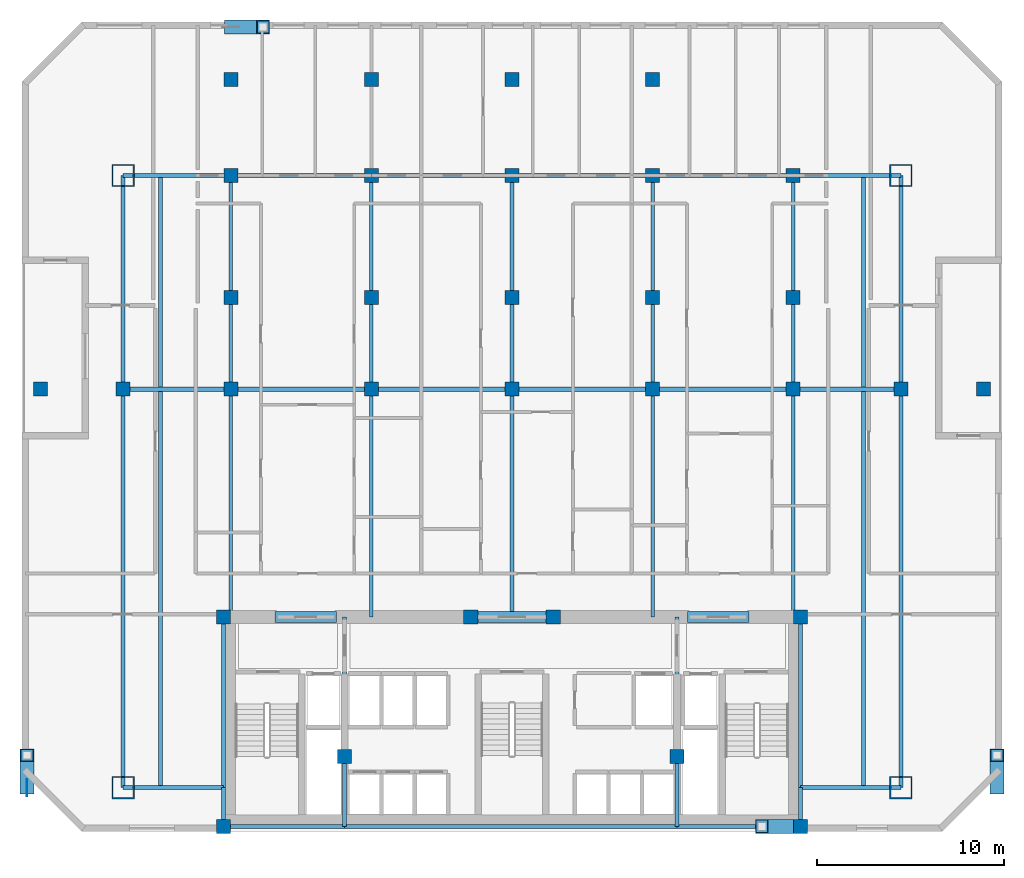
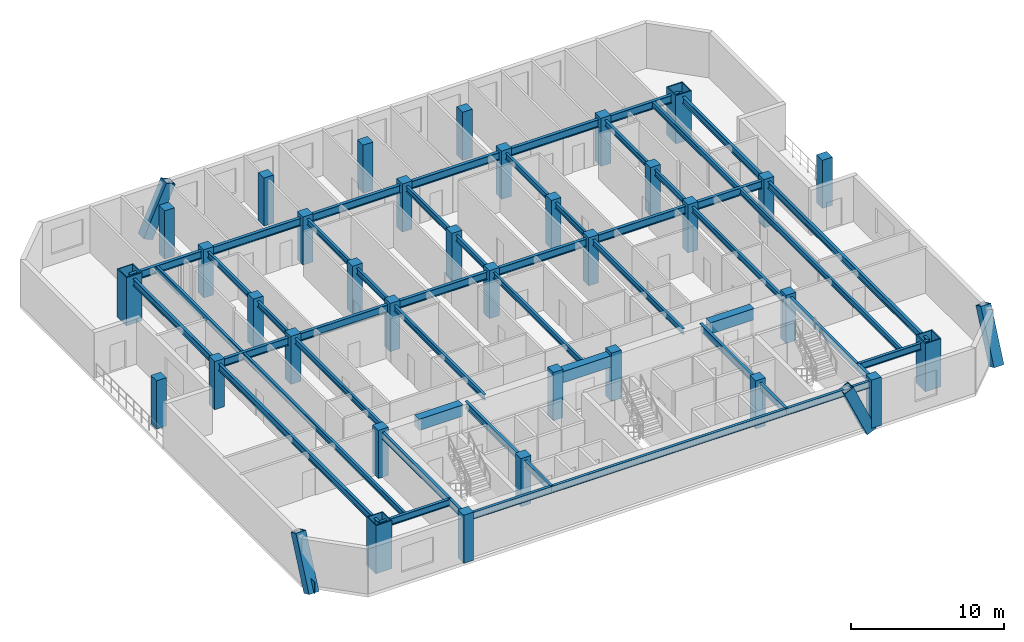
# One storey, part 1 of 10: 46 beams, 35 columns, 4 members, 1 plate.
"""IFC4 building model written with IfcOpenShell, lengths in metres."""

from ifc_helpers import new_model, si_unit, direction, frame, origin, origin_2d, place, context, subcontext, project, spatial, rectangle, hollow_rectangle, i_section, extrude, material, layer, layer_set, material_profile, profile_set, type_object, element, save


model = new_model("IFC4")

# Units and contexts
model_context = context("Model", 3, precision=1e-05, world=origin(), true_north=direction((0.0, 1.0)))
body_context = subcontext(model_context, "Body", "Model", "MODEL_VIEW")
ifc_project = project(units=[si_unit("LENGTHUNIT", "METRE"), si_unit("AREAUNIT", "SQUARE_METRE"), si_unit("VOLUMEUNIT", "CUBIC_METRE"), si_unit("PLANEANGLEUNIT", "RADIAN"), si_unit("MASSUNIT", "GRAM", prefix="KILO")], contexts=[model_context])

# Site, building, storey
site_placement = place(None, origin())
site = spatial("IfcSite", under=ifc_project, at=site_placement, CompositionType="ELEMENT")
building_placement = place(site_placement, origin())
building = spatial("IfcBuilding", under=site, at=building_placement, Name="Ventersveld Concourse Tower", CompositionType="ELEMENT")
storey_placement = place(building_placement, frame((0.0, 0.0, 123.39990234375)))
storey = spatial("IfcBuildingStorey", under=building, at=storey_placement, Name="L30", CompositionType="ELEMENT", Elevation=123.39990234375)

# Columns
ifc_material_1 = material(Name="Concrete C50/60", Category="concrete")
ifc_material_profile_1 = material_profile(ifc_material_1, rectangle(XDim=0.75, YDim=0.75, at=origin_2d()), Name="RC 750x750")
ifc_profile_set_1 = profile_set([ifc_material_profile_1], Name="Concrete C50/60")
column_type_1 = type_object("IfcColumnType", Name="COL-RC750", PredefinedType="COLUMN", material=ifc_profile_set_1)
for number, where, z_axis, x_axis, name in (
    (1, (13.35009765625, 0.280029296875, 0.0), (0.0, 0.0, 1.0), (1.0, 0.0, 0.0), "L30 Core Spine Column CC-SW"),
    (2, (44.14990234375, 0.280029296875, 0.0), (0.0, 0.0, 1.0), (1.0, 0.0, 0.0), "L30 Core Spine Column CC-SE"),
    (3, (13.35009765625, 11.449951171875, 0.0), (0.0, 0.0, 1.0), (1.0, 0.0, 0.0), "L30 Core Spine Column CC-NW"),
    (4, (44.14990234375, 11.449951171875, 0.0), (0.0, 0.0, 1.0), (1.0, 0.0, 0.0), "L30 Core Spine Column CC-NE"),
    (5, (19.820068359375, 4.0, 0.0), (0.0, 0.0, 1.0), (1.0, 0.0, 0.0), "L30 Core Spine Column CM-1"),
    (6, (37.550048828125, 4.0, 0.0), (0.0, 0.0, 1.0), (1.0, 0.0, 0.0), "L30 Core Spine Column CM-2"),
    (7, (26.550048828125, 11.449951171875, 0.0), (0.0, 0.0, 1.0), (1.0, 0.0, 0.0), "L30 Core Spine Column CM-3"),
    (8, (30.949951171875, 11.449951171875, 0.0), (0.0, 0.0, 1.0), (1.0, 0.0, 0.0), "L30 Core Spine Column CM-4"),
    (9, (3.60009765625, 23.60009765625, 0.0), (0.0, 0.0, 1.0), (1.0, 0.0, 0.0), "L30 Interior Gravity Column X=3.60 Y=23.60"),
    (10, (8.0, 23.60009765625, 0.0), (0.0, 0.0, 1.0), (1.0, 0.0, 0.0), "L30 Interior Gravity Column X=8.00 Y=23.60"),
    (11, (13.75, 23.60009765625, 0.0), (0.0, 0.0, 1.0), (1.0, 0.0, 0.0), "L30 Interior Gravity Column X=13.75 Y=23.60"),
    (12, (21.25, 23.60009765625, 0.0), (0.0, 0.0, 1.0), (1.0, 0.0, 0.0), "L30 Interior Gravity Column X=21.25 Y=23.60"),
    (13, (28.75, 23.60009765625, 0.0), (0.0, 0.0, 1.0), (1.0, 0.0, 0.0), "L30 Interior Gravity Column X=28.75 Y=23.60"),
    (14, (36.25, 23.60009765625, 0.0), (0.0, 0.0, 1.0), (1.0, 0.0, 0.0), "L30 Interior Gravity Column X=36.25 Y=23.60"),
    (15, (43.75, 23.60009765625, 0.0), (0.0, 0.0, 1.0), (1.0, 0.0, 0.0), "L30 Interior Gravity Column X=43.75 Y=23.60"),
    (16, (49.5, 23.60009765625, 0.0), (0.0, 0.0, 1.0), (1.0, 0.0, 0.0), "L30 Interior Gravity Column X=49.50 Y=23.60"),
    (17, (53.89990234375, 23.60009765625, 0.0), (0.0, 0.0, 1.0), (1.0, 0.0, 0.0), "L30 Interior Gravity Column X=53.90 Y=23.60"),
    (18, (13.75, 28.5, 0.0), (0.0, 0.0, 1.0), (1.0, 0.0, 0.0), "L30 Upper-North Gravity Column X=13.75 Y=28.50"),
    (19, (21.25, 28.5, 0.0), (0.0, 0.0, 1.0), (1.0, 0.0, 0.0), "L30 Upper-North Gravity Column X=21.25 Y=28.50"),
    (20, (28.75, 28.5, 0.0), (0.0, 0.0, 1.0), (1.0, 0.0, 0.0), "L30 Upper-North Gravity Column X=28.75 Y=28.50"),
    (21, (36.25, 28.5, 0.0), (0.0, 0.0, 1.0), (1.0, 0.0, 0.0), "L30 Upper-North Gravity Column X=36.25 Y=28.50"),
    (22, (43.75, 28.5, 0.0), (0.0, 0.0, 1.0), (1.0, 0.0, 0.0), "L30 Upper-North Gravity Column X=43.75 Y=28.50"),
    (23, (13.75, 40.1201171875, 0.0), (0.0, 0.0, 1.0), (1.0, 0.0, 0.0), "L30 North Brace Node Column X=13.75 Y=40.12"),
    (24, (21.25, 40.1201171875, 0.0), (0.0, 0.0, 1.0), (1.0, 0.0, 0.0), "L30 North Brace Node Column X=21.25 Y=40.12"),
    (25, (28.75, 40.1201171875, 0.0), (0.0, 0.0, 1.0), (1.0, 0.0, 0.0), "L30 North Brace Node Column X=28.75 Y=40.12"),
    (26, (36.25, 40.1201171875, 0.0), (0.0, 0.0, 1.0), (1.0, 0.0, 0.0), "L30 North Brace Node Column X=36.25 Y=40.12"),
    (27, (13.75, 35.0, 0.0), (0.0, 0.0, 1.0), (1.0, 0.0, 0.0), "L30 Mid-North Column X=13.75 Y=35.00"),
    (28, (21.25, 35.0, 0.0), (0.0, 0.0, 1.0), (1.0, 0.0, 0.0), "L30 Mid-North Column X=21.25 Y=35.00"),
    (29, (28.75, 35.0, 0.0), (0.0, 0.0, 1.0), (1.0, 0.0, 0.0), "L30 Mid-North Column X=28.75 Y=35.00"),
    (30, (36.25, 35.0, 0.0), (0.0, 0.0, 1.0), (1.0, 0.0, 0.0), "L30 Mid-North Column X=36.25 Y=35.00"),
    (31, (43.75, 35.0, 0.0), (0.0, 0.0, 1.0), (1.0, 0.0, 0.0), "L30 Mid-North Column X=43.75 Y=35.00"),
):
    element("IfcColumn", number, at=place(storey_placement, frame(where, z_axis=z_axis, x_axis=x_axis)), inside=storey, type_object=column_type_1, Name=name, PredefinedType="COLUMN", context=body_context, shape_type="SweptSolid", body=[
        extrude(rectangle(XDim=0.75, YDim=0.75, at=origin_2d()), origin(), (0.0, 0.0, 1.0), 3.85009765625),
    ])
ifc_material_2 = material(Name="Structural steel S460ML", Category="steel")
ifc_material_profile_2 = material_profile(ifc_material_2, hollow_rectangle(XDim=1.199951171875, YDim=1.199951171875, WallThickness=0.070068359375, at=origin_2d()), Name="BOX 1200x1200x70")
ifc_profile_set_2 = profile_set([ifc_material_profile_2], Name="Structural steel S460ML")
column_type_2 = type_object("IfcColumnType", Name="MC-1200", PredefinedType="USERDEFINED", material=ifc_profile_set_2)
for number, where, z_axis, x_axis, name in (
    (32, (8.0, 2.35009765625, 0.0), (0.0, 0.0, 1.0), (1.0, 0.0, 0.0), "L30 Corner Mega-Column MC-SW"),
    (33, (49.5, 2.35009765625, 0.0), (0.0, 0.0, 1.0), (1.0, 0.0, 0.0), "L30 Corner Mega-Column MC-SE"),
    (34, (49.5, 35.0, 0.0), (0.0, 0.0, 1.0), (1.0, 0.0, 0.0), "L30 Corner Mega-Column MC-NE"),
    (35, (8.0, 35.0, 0.0), (0.0, 0.0, 1.0), (1.0, 0.0, 0.0), "L30 Corner Mega-Column MC-NW"),
):
    element("IfcColumn", number, at=place(storey_placement, frame(where, z_axis=z_axis, x_axis=x_axis)), inside=storey, type_object=column_type_2, Name=name, ObjectType="MEGA_COLUMN", PredefinedType="USERDEFINED", context=body_context, shape_type="SweptSolid", body=[
        extrude(hollow_rectangle(XDim=1.199951171875, YDim=1.199951171875, WallThickness=0.070068359375, at=origin_2d()), origin(), (0.0, 0.0, 1.0), 3.85009765625),
    ])

# Beams
ifc_material_3 = material(Name="Structural steel S355J2", Category="steel")
ifc_material_profile_3 = material_profile(ifc_material_3, i_section(OverallWidth=0.18994140625, OverallDepth=0.453369140625, WebThickness=0.008544921875, FlangeThickness=0.0126953125, FilletRadius=0.01025390625, at=origin_2d()), Name="UB 457x191x67")
ifc_profile_set_3 = profile_set([ifc_material_profile_3], Name="Structural steel S355J2")
beam_type_1 = type_object("IfcBeamType", Name="BM-UB457", PredefinedType="BEAM", material=ifc_profile_set_3)
beam_1_placement = place(storey_placement, frame((10.0, 2.35009765625, 3.373291015625), z_axis=(0.0, 1.0, 0.0), x_axis=(-1.0, 0.0, 0.0)))
element("IfcBeam", 36, at=beam_1_placement, inside=storey, type_object=beam_type_1, Name="L30 N-S Composite Floor Beam South X=10.00", PredefinedType="BEAM", context=body_context, shape_type="SweptSolid", body=[
    extrude(i_section(OverallWidth=0.18994140625, OverallDepth=0.453369140625, WebThickness=0.008544921875, FlangeThickness=0.0126953125, FilletRadius=0.01025390625, at=origin_2d()), origin(), (0.0, 0.0, 1.0), 21.15478515625),
])
beam_2_placement = place(storey_placement, frame((10.0, 23.695068359375, 3.373291015625), z_axis=(0.0, 1.0, 0.0), x_axis=(-1.0, 0.0, 0.0)))
element("IfcBeam", 37, at=beam_2_placement, inside=storey, type_object=beam_type_1, Name="L30 N-S Composite Floor Beam Mid X=10.00", PredefinedType="BEAM", context=body_context, shape_type="SweptSolid", body=[
    extrude(i_section(OverallWidth=0.18994140625, OverallDepth=0.453369140625, WebThickness=0.008544921875, FlangeThickness=0.0126953125, FilletRadius=0.01025390625, at=origin_2d()), origin(), (0.0, 0.0, 1.0), 11.304931640625),
])
beam_3_placement = place(storey_placement, frame((13.75, 11.449951171875, 3.373291015625), z_axis=(0.0, 1.0, 0.0), x_axis=(-1.0, 0.0, 0.0)))
element("IfcBeam", 38, at=beam_3_placement, inside=storey, type_object=beam_type_1, Name="L30 N-S Composite Floor Beam South X=13.75", PredefinedType="BEAM", context=body_context, shape_type="SweptSolid", body=[
    extrude(i_section(OverallWidth=0.18994140625, OverallDepth=0.453369140625, WebThickness=0.008544921875, FlangeThickness=0.0126953125, FilletRadius=0.01025390625, at=origin_2d()), origin(), (0.0, 0.0, 1.0), 12.150146484375),
])
beam_4_placement = place(storey_placement, frame((13.75, 23.60009765625, 3.373291015625), z_axis=(0.0, 1.0, 0.0), x_axis=(-1.0, 0.0, 0.0)))
element("IfcBeam", 39, at=beam_4_placement, inside=storey, type_object=beam_type_1, Name="L30 N-S Composite Floor Beam Mid X=13.75", PredefinedType="BEAM", context=body_context, shape_type="SweptSolid", body=[
    extrude(i_section(OverallWidth=0.18994140625, OverallDepth=0.453369140625, WebThickness=0.008544921875, FlangeThickness=0.0126953125, FilletRadius=0.01025390625, at=origin_2d()), origin(), (0.0, 0.0, 1.0), 11.39990234375),
])
beam_5_placement = place(storey_placement, frame((21.25, 11.449951171875, 3.373291015625), z_axis=(0.0, 1.0, 0.0), x_axis=(-1.0, 0.0, 0.0)))
element("IfcBeam", 40, at=beam_5_placement, inside=storey, type_object=beam_type_1, Name="L30 N-S Composite Floor Beam South X=21.25", PredefinedType="BEAM", context=body_context, shape_type="SweptSolid", body=[
    extrude(i_section(OverallWidth=0.18994140625, OverallDepth=0.453369140625, WebThickness=0.008544921875, FlangeThickness=0.0126953125, FilletRadius=0.01025390625, at=origin_2d()), origin(), (0.0, 0.0, 1.0), 12.150146484375),
])
beam_6_placement = place(storey_placement, frame((21.25, 23.60009765625, 3.373291015625), z_axis=(0.0, 1.0, 0.0), x_axis=(-1.0, 0.0, 0.0)))
element("IfcBeam", 41, at=beam_6_placement, inside=storey, type_object=beam_type_1, Name="L30 N-S Composite Floor Beam Mid X=21.25", PredefinedType="BEAM", context=body_context, shape_type="SweptSolid", body=[
    extrude(i_section(OverallWidth=0.18994140625, OverallDepth=0.453369140625, WebThickness=0.008544921875, FlangeThickness=0.0126953125, FilletRadius=0.01025390625, at=origin_2d()), origin(), (0.0, 0.0, 1.0), 11.39990234375),
])
beam_7_placement = place(storey_placement, frame((28.75, 11.449951171875, 3.373291015625), z_axis=(0.0, 1.0, 0.0), x_axis=(-1.0, 0.0, 0.0)))
element("IfcBeam", 42, at=beam_7_placement, inside=storey, type_object=beam_type_1, Name="L30 N-S Composite Floor Beam South X=28.75", PredefinedType="BEAM", context=body_context, shape_type="SweptSolid", body=[
    extrude(i_section(OverallWidth=0.18994140625, OverallDepth=0.453369140625, WebThickness=0.008544921875, FlangeThickness=0.0126953125, FilletRadius=0.01025390625, at=origin_2d()), origin(), (0.0, 0.0, 1.0), 12.150146484375),
])
beam_8_placement = place(storey_placement, frame((28.75, 23.60009765625, 3.373291015625), z_axis=(0.0, 1.0, 0.0), x_axis=(-1.0, 0.0, 0.0)))
element("IfcBeam", 43, at=beam_8_placement, inside=storey, type_object=beam_type_1, Name="L30 N-S Composite Floor Beam Mid X=28.75", PredefinedType="BEAM", context=body_context, shape_type="SweptSolid", body=[
    extrude(i_section(OverallWidth=0.18994140625, OverallDepth=0.453369140625, WebThickness=0.008544921875, FlangeThickness=0.0126953125, FilletRadius=0.01025390625, at=origin_2d()), origin(), (0.0, 0.0, 1.0), 11.39990234375),
])
beam_9_placement = place(storey_placement, frame((36.25, 11.449951171875, 3.373291015625), z_axis=(0.0, 1.0, 0.0), x_axis=(-1.0, 0.0, 0.0)))
element("IfcBeam", 44, at=beam_9_placement, inside=storey, type_object=beam_type_1, Name="L30 N-S Composite Floor Beam South X=36.25", PredefinedType="BEAM", context=body_context, shape_type="SweptSolid", body=[
    extrude(i_section(OverallWidth=0.18994140625, OverallDepth=0.453369140625, WebThickness=0.008544921875, FlangeThickness=0.0126953125, FilletRadius=0.01025390625, at=origin_2d()), origin(), (0.0, 0.0, 1.0), 12.150146484375),
])
beam_10_placement = place(storey_placement, frame((36.25, 23.60009765625, 3.373291015625), z_axis=(0.0, 1.0, 0.0), x_axis=(-1.0, 0.0, 0.0)))
element("IfcBeam", 45, at=beam_10_placement, inside=storey, type_object=beam_type_1, Name="L30 N-S Composite Floor Beam Mid X=36.25", PredefinedType="BEAM", context=body_context, shape_type="SweptSolid", body=[
    extrude(i_section(OverallWidth=0.18994140625, OverallDepth=0.453369140625, WebThickness=0.008544921875, FlangeThickness=0.0126953125, FilletRadius=0.01025390625, at=origin_2d()), origin(), (0.0, 0.0, 1.0), 11.39990234375),
])
beam_11_placement = place(storey_placement, frame((43.75, 11.449951171875, 3.373291015625), z_axis=(0.0, 1.0, 0.0), x_axis=(-1.0, 0.0, 0.0)))
element("IfcBeam", 46, at=beam_11_placement, inside=storey, type_object=beam_type_1, Name="L30 N-S Composite Floor Beam South X=43.75", PredefinedType="BEAM", context=body_context, shape_type="SweptSolid", body=[
    extrude(i_section(OverallWidth=0.18994140625, OverallDepth=0.453369140625, WebThickness=0.008544921875, FlangeThickness=0.0126953125, FilletRadius=0.01025390625, at=origin_2d()), origin(), (0.0, 0.0, 1.0), 12.150146484375),
])
beam_12_placement = place(storey_placement, frame((43.75, 23.60009765625, 3.373291015625), z_axis=(0.0, 1.0, 0.0), x_axis=(-1.0, 0.0, 0.0)))
element("IfcBeam", 47, at=beam_12_placement, inside=storey, type_object=beam_type_1, Name="L30 N-S Composite Floor Beam Mid X=43.75", PredefinedType="BEAM", context=body_context, shape_type="SweptSolid", body=[
    extrude(i_section(OverallWidth=0.18994140625, OverallDepth=0.453369140625, WebThickness=0.008544921875, FlangeThickness=0.0126953125, FilletRadius=0.01025390625, at=origin_2d()), origin(), (0.0, 0.0, 1.0), 11.39990234375),
])
beam_13_placement = place(storey_placement, frame((47.5, 2.35009765625, 3.373291015625), z_axis=(0.0, 1.0, 0.0), x_axis=(-1.0, 0.0, 0.0)))
element("IfcBeam", 48, at=beam_13_placement, inside=storey, type_object=beam_type_1, Name="L30 N-S Composite Floor Beam South X=47.50", PredefinedType="BEAM", context=body_context, shape_type="SweptSolid", body=[
    extrude(i_section(OverallWidth=0.18994140625, OverallDepth=0.453369140625, WebThickness=0.008544921875, FlangeThickness=0.0126953125, FilletRadius=0.01025390625, at=origin_2d()), origin(), (0.0, 0.0, 1.0), 21.15478515625),
])
beam_14_placement = place(storey_placement, frame((47.5, 23.695068359375, 3.373291015625), z_axis=(0.0, 1.0, 0.0), x_axis=(-1.0, 0.0, 0.0)))
element("IfcBeam", 49, at=beam_14_placement, inside=storey, type_object=beam_type_1, Name="L30 N-S Composite Floor Beam Mid X=47.50", PredefinedType="BEAM", context=body_context, shape_type="SweptSolid", body=[
    extrude(i_section(OverallWidth=0.18994140625, OverallDepth=0.453369140625, WebThickness=0.008544921875, FlangeThickness=0.0126953125, FilletRadius=0.01025390625, at=origin_2d()), origin(), (0.0, 0.0, 1.0), 11.304931640625),
])
ifc_material_4 = material(Name="Concrete C60/75", Category="concrete")
ifc_material_profile_4 = material_profile(ifc_material_4, rectangle(XDim=0.60009765625, YDim=0.89990234375, at=origin_2d()), Name="RC 600x900")
ifc_profile_set_4 = profile_set([ifc_material_profile_4], Name="Concrete C60/75")
beam_type_2 = type_object("IfcBeamType", Name="CB-RC600x900L", PredefinedType="LINTEL", material=ifc_profile_set_4)
beam_15_placement = place(storey_placement, frame((16.10009765625, 11.449951171875, 3.150146484375), z_axis=(1.0, 0.0, 0.0), x_axis=(0.0, 1.0, 0.0)))
element("IfcBeam", 50, at=beam_15_placement, inside=storey, type_object=beam_type_2, Name="L30 Core Coupling Lintel Beam 1", PredefinedType="LINTEL", context=body_context, shape_type="SweptSolid", body=[
    extrude(rectangle(XDim=0.60009765625, YDim=0.89990234375, at=origin_2d()), origin(), (0.0, 0.0, 1.0), 3.2998046875),
])
beam_16_placement = place(storey_placement, frame((26.5, 11.449951171875, 3.150146484375), z_axis=(1.0, 0.0, 0.0), x_axis=(0.0, 1.0, 0.0)))
element("IfcBeam", 51, at=beam_16_placement, inside=storey, type_object=beam_type_2, Name="L30 Core Coupling Lintel Beam 2", PredefinedType="LINTEL", context=body_context, shape_type="SweptSolid", body=[
    extrude(rectangle(XDim=0.60009765625, YDim=0.89990234375, at=origin_2d()), origin(), (0.0, 0.0, 1.0), 4.5),
])
beam_17_placement = place(storey_placement, frame((38.10009765625, 11.449951171875, 3.150146484375), z_axis=(1.0, 0.0, 0.0), x_axis=(0.0, 1.0, 0.0)))
element("IfcBeam", 52, at=beam_17_placement, inside=storey, type_object=beam_type_2, Name="L30 Core Coupling Lintel Beam 3", PredefinedType="LINTEL", context=body_context, shape_type="SweptSolid", body=[
    extrude(rectangle(XDim=0.60009765625, YDim=0.89990234375, at=origin_2d()), origin(), (0.0, 0.0, 1.0), 3.2998046875),
])
ifc_material_profile_5 = material_profile(ifc_material_3, i_section(OverallWidth=0.2119140625, OverallDepth=0.54443359375, WebThickness=0.0126953125, FlangeThickness=0.021240234375, FilletRadius=0.0126953125, at=origin_2d()), Name="UB 533x210x122")
ifc_profile_set_5 = profile_set([ifc_material_profile_5], Name="Structural steel S355J2")
beam_type_3 = type_object("IfcBeamType", Name="GRD-UB533H", PredefinedType="T_BEAM", material=ifc_profile_set_5)
beam_18_placement = place(storey_placement, frame((13.35009765625, 0.280029296875, 3.327880859375), z_axis=(0.0, 1.0, 0.0), x_axis=(-1.0, 0.0, 0.0)))
element("IfcBeam", 53, at=beam_18_placement, inside=storey, type_object=beam_type_3, Name="L30 Core West Tie Beam S", PredefinedType="T_BEAM", context=body_context, shape_type="SweptSolid", body=[
    extrude(i_section(OverallWidth=0.2119140625, OverallDepth=0.54443359375, WebThickness=0.0126953125, FlangeThickness=0.021240234375, FilletRadius=0.0126953125, at=origin_2d()), origin(), (0.0, 0.0, 1.0), 2.070068359375),
])
beam_19_placement = place(storey_placement, frame((13.35009765625, 2.35009765625, 3.327880859375), z_axis=(0.0, 1.0, 0.0), x_axis=(-1.0, 0.0, 0.0)))
element("IfcBeam", 54, at=beam_19_placement, inside=storey, type_object=beam_type_3, Name="L30 Core West Tie Beam N", PredefinedType="T_BEAM", context=body_context, shape_type="SweptSolid", body=[
    extrude(i_section(OverallWidth=0.2119140625, OverallDepth=0.54443359375, WebThickness=0.0126953125, FlangeThickness=0.021240234375, FilletRadius=0.0126953125, at=origin_2d()), origin(), (0.0, 0.0, 1.0), 9.099853515625),
])
beam_20_placement = place(storey_placement, frame((44.14990234375, 0.280029296875, 3.327880859375), z_axis=(0.0, 1.0, 0.0), x_axis=(-1.0, 0.0, 0.0)))
element("IfcBeam", 55, at=beam_20_placement, inside=storey, type_object=beam_type_3, Name="L30 Core East Tie Beam S", PredefinedType="T_BEAM", context=body_context, shape_type="SweptSolid", body=[
    extrude(i_section(OverallWidth=0.2119140625, OverallDepth=0.54443359375, WebThickness=0.0126953125, FlangeThickness=0.021240234375, FilletRadius=0.0126953125, at=origin_2d()), origin(), (0.0, 0.0, 1.0), 2.070068359375),
])
beam_21_placement = place(storey_placement, frame((44.14990234375, 2.35009765625, 3.327880859375), z_axis=(0.0, 1.0, 0.0), x_axis=(-1.0, 0.0, 0.0)))
element("IfcBeam", 56, at=beam_21_placement, inside=storey, type_object=beam_type_3, Name="L30 Core East Tie Beam N", PredefinedType="T_BEAM", context=body_context, shape_type="SweptSolid", body=[
    extrude(i_section(OverallWidth=0.2119140625, OverallDepth=0.54443359375, WebThickness=0.0126953125, FlangeThickness=0.021240234375, FilletRadius=0.0126953125, at=origin_2d()), origin(), (0.0, 0.0, 1.0), 9.099853515625),
])
beam_22_placement = place(storey_placement, frame((13.35009765625, 0.280029296875, 3.327880859375), z_axis=(1.0, 0.0, 0.0), x_axis=(0.0, 1.0, 0.0)))
element("IfcBeam", 57, at=beam_22_placement, inside=storey, type_object=beam_type_3, Name="L30 Core South Tie Beam W", PredefinedType="T_BEAM", context=body_context, shape_type="SweptSolid", body=[
    extrude(i_section(OverallWidth=0.2119140625, OverallDepth=0.54443359375, WebThickness=0.0126953125, FlangeThickness=0.021240234375, FilletRadius=0.0126953125, at=origin_2d()), origin(), (0.0, 0.0, 1.0), 6.469970703125),
])
beam_23_placement = place(storey_placement, frame((19.820068359375, 0.280029296875, 3.327880859375), z_axis=(1.0, 0.0, 0.0), x_axis=(0.0, 1.0, 0.0)))
element("IfcBeam", 58, at=beam_23_placement, inside=storey, type_object=beam_type_3, Name="L30 Core South Tie Beam C", PredefinedType="T_BEAM", context=body_context, shape_type="SweptSolid", body=[
    extrude(i_section(OverallWidth=0.2119140625, OverallDepth=0.54443359375, WebThickness=0.0126953125, FlangeThickness=0.021240234375, FilletRadius=0.0126953125, at=origin_2d()), origin(), (0.0, 0.0, 1.0), 17.72998046875),
])
beam_24_placement = place(storey_placement, frame((37.550048828125, 0.280029296875, 3.327880859375), z_axis=(1.0, 0.0, 0.0), x_axis=(0.0, 1.0, 0.0)))
element("IfcBeam", 59, at=beam_24_placement, inside=storey, type_object=beam_type_3, Name="L30 Core South Tie Beam E", PredefinedType="T_BEAM", context=body_context, shape_type="SweptSolid", body=[
    extrude(i_section(OverallWidth=0.2119140625, OverallDepth=0.54443359375, WebThickness=0.0126953125, FlangeThickness=0.021240234375, FilletRadius=0.0126953125, at=origin_2d()), origin(), (0.0, 0.0, 1.0), 6.599853515625),
])
beam_25_placement = place(storey_placement, frame((19.820068359375, 0.280029296875, 3.327880859375), z_axis=(0.0, 1.0, 0.0), x_axis=(-1.0, 0.0, 0.0)))
element("IfcBeam", 60, at=beam_25_placement, inside=storey, type_object=beam_type_3, Name="L30 Core Spine N-S Tie Beam W1", PredefinedType="T_BEAM", context=body_context, shape_type="SweptSolid", body=[
    extrude(i_section(OverallWidth=0.2119140625, OverallDepth=0.54443359375, WebThickness=0.0126953125, FlangeThickness=0.021240234375, FilletRadius=0.0126953125, at=origin_2d()), origin(), (0.0, 0.0, 1.0), 3.719970703125),
])
beam_26_placement = place(storey_placement, frame((19.820068359375, 4.0, 3.327880859375), z_axis=(0.0, 1.0, 0.0), x_axis=(-1.0, 0.0, 0.0)))
element("IfcBeam", 61, at=beam_26_placement, inside=storey, type_object=beam_type_3, Name="L30 Core Spine N-S Tie Beam W2", PredefinedType="T_BEAM", context=body_context, shape_type="SweptSolid", body=[
    extrude(i_section(OverallWidth=0.2119140625, OverallDepth=0.54443359375, WebThickness=0.0126953125, FlangeThickness=0.021240234375, FilletRadius=0.0126953125, at=origin_2d()), origin(), (0.0, 0.0, 1.0), 7.449951171875),
])
beam_27_placement = place(storey_placement, frame((37.550048828125, 0.280029296875, 3.327880859375), z_axis=(0.0, 1.0, 0.0), x_axis=(-1.0, 0.0, 0.0)))
element("IfcBeam", 62, at=beam_27_placement, inside=storey, type_object=beam_type_3, Name="L30 Core Spine N-S Tie Beam E1", PredefinedType="T_BEAM", context=body_context, shape_type="SweptSolid", body=[
    extrude(i_section(OverallWidth=0.2119140625, OverallDepth=0.54443359375, WebThickness=0.0126953125, FlangeThickness=0.021240234375, FilletRadius=0.0126953125, at=origin_2d()), origin(), (0.0, 0.0, 1.0), 3.719970703125),
])
beam_28_placement = place(storey_placement, frame((37.550048828125, 4.0, 3.327880859375), z_axis=(0.0, 1.0, 0.0), x_axis=(-1.0, 0.0, 0.0)))
element("IfcBeam", 63, at=beam_28_placement, inside=storey, type_object=beam_type_3, Name="L30 Core Spine N-S Tie Beam E2", PredefinedType="T_BEAM", context=body_context, shape_type="SweptSolid", body=[
    extrude(i_section(OverallWidth=0.2119140625, OverallDepth=0.54443359375, WebThickness=0.0126953125, FlangeThickness=0.021240234375, FilletRadius=0.0126953125, at=origin_2d()), origin(), (0.0, 0.0, 1.0), 7.449951171875),
])
ifc_material_profile_6 = material_profile(ifc_material_3, i_section(OverallWidth=0.230224609375, OverallDepth=0.6171875, WebThickness=0.01318359375, FlangeThickness=0.022216796875, FilletRadius=0.0126953125, at=origin_2d()), Name="UB 610x229x140")
ifc_profile_set_6 = profile_set([ifc_material_profile_6], Name="Structural steel S355J2")
beam_type_4 = type_object("IfcBeamType", Name="GRD-UB610", PredefinedType="USERDEFINED", material=ifc_profile_set_6)
beam_29_placement = place(storey_placement, frame((8.0, 23.60009765625, 3.29150390625), z_axis=(1.0, 0.0, 0.0), x_axis=(0.0, 1.0, 0.0)))
element("IfcBeam", 64, at=beam_29_placement, inside=storey, type_object=beam_type_4, Name="L30 Primary E-W Grid Girder Y=23.60 #1", ObjectType="GIRDER", PredefinedType="USERDEFINED", context=body_context, shape_type="SweptSolid", body=[
    extrude(i_section(OverallWidth=0.230224609375, OverallDepth=0.6171875, WebThickness=0.01318359375, FlangeThickness=0.022216796875, FilletRadius=0.0126953125, at=origin_2d()), origin(), (0.0, 0.0, 1.0), 5.75),
])
for number, where, z_axis, x_axis, name in (
    (65, (13.75, 23.60009765625, 3.29150390625), (1.0, 0.0, 0.0), (0.0, 1.0, 0.0), "L30 Primary E-W Grid Girder Y=23.60 #2"),
    (66, (21.25, 23.60009765625, 3.29150390625), (1.0, 0.0, 0.0), (0.0, 1.0, 0.0), "L30 Primary E-W Grid Girder Y=23.60 #3"),
    (67, (28.75, 23.60009765625, 3.29150390625), (1.0, 0.0, 0.0), (0.0, 1.0, 0.0), "L30 Primary E-W Grid Girder Y=23.60 #4"),
    (68, (36.25, 23.60009765625, 3.29150390625), (1.0, 0.0, 0.0), (0.0, 1.0, 0.0), "L30 Primary E-W Grid Girder Y=23.60 #5"),
):
    element("IfcBeam", number, at=place(storey_placement, frame(where, z_axis=z_axis, x_axis=x_axis)), inside=storey, type_object=beam_type_4, Name=name, ObjectType="GIRDER", PredefinedType="USERDEFINED", context=body_context, shape_type="SweptSolid", body=[
        extrude(i_section(OverallWidth=0.230224609375, OverallDepth=0.6171875, WebThickness=0.01318359375, FlangeThickness=0.022216796875, FilletRadius=0.0126953125, at=origin_2d()), origin(), (0.0, 0.0, 1.0), 7.5),
    ])
for number, where, z_axis, x_axis, name in (
    (69, (43.75, 23.60009765625, 3.29150390625), (1.0, 0.0, 0.0), (0.0, 1.0, 0.0), "L30 Primary E-W Grid Girder Y=23.60 #6"),
    (70, (8.0, 35.0, 3.29150390625), (1.0, 0.0, 0.0), (0.0, 1.0, 0.0), "L30 E-W Grid Girder Y=35.00 #1"),
):
    element("IfcBeam", number, at=place(storey_placement, frame(where, z_axis=z_axis, x_axis=x_axis)), inside=storey, type_object=beam_type_4, Name=name, ObjectType="GIRDER", PredefinedType="USERDEFINED", context=body_context, shape_type="SweptSolid", body=[
        extrude(i_section(OverallWidth=0.230224609375, OverallDepth=0.6171875, WebThickness=0.01318359375, FlangeThickness=0.022216796875, FilletRadius=0.0126953125, at=origin_2d()), origin(), (0.0, 0.0, 1.0), 5.75),
    ])
for number, where, z_axis, x_axis, name in (
    (71, (13.75, 35.0, 3.29150390625), (1.0, 0.0, 0.0), (0.0, 1.0, 0.0), "L30 E-W Grid Girder Y=35.00 #2"),
    (72, (21.25, 35.0, 3.29150390625), (1.0, 0.0, 0.0), (0.0, 1.0, 0.0), "L30 E-W Grid Girder Y=35.00 #3"),
    (73, (28.75, 35.0, 3.29150390625), (1.0, 0.0, 0.0), (0.0, 1.0, 0.0), "L30 E-W Grid Girder Y=35.00 #4"),
    (74, (36.25, 35.0, 3.29150390625), (1.0, 0.0, 0.0), (0.0, 1.0, 0.0), "L30 E-W Grid Girder Y=35.00 #5"),
):
    element("IfcBeam", number, at=place(storey_placement, frame(where, z_axis=z_axis, x_axis=x_axis)), inside=storey, type_object=beam_type_4, Name=name, ObjectType="GIRDER", PredefinedType="USERDEFINED", context=body_context, shape_type="SweptSolid", body=[
        extrude(i_section(OverallWidth=0.230224609375, OverallDepth=0.6171875, WebThickness=0.01318359375, FlangeThickness=0.022216796875, FilletRadius=0.0126953125, at=origin_2d()), origin(), (0.0, 0.0, 1.0), 7.5),
    ])
beam_30_placement = place(storey_placement, frame((43.75, 35.0, 3.29150390625), z_axis=(1.0, 0.0, 0.0), x_axis=(0.0, 1.0, 0.0)))
element("IfcBeam", 75, at=beam_30_placement, inside=storey, type_object=beam_type_4, Name="L30 E-W Grid Girder Y=35.00 #6", ObjectType="GIRDER", PredefinedType="USERDEFINED", context=body_context, shape_type="SweptSolid", body=[
    extrude(i_section(OverallWidth=0.230224609375, OverallDepth=0.6171875, WebThickness=0.01318359375, FlangeThickness=0.022216796875, FilletRadius=0.0126953125, at=origin_2d()), origin(), (0.0, 0.0, 1.0), 5.75),
])

# Members
ifc_material_5 = material(Name="Structural steel S355ML", Category="steel")
ifc_material_profile_7 = material_profile(ifc_material_5, hollow_rectangle(XDim=0.75, YDim=0.75, WallThickness=0.044921875, at=origin_2d()), Name="BOX 750x750x45")
ifc_profile_set_7 = profile_set([ifc_material_profile_7], Name="Structural steel S355ML")
member_type = type_object("IfcMemberType", Name="MB-750x750", PredefinedType="BRACE", material=ifc_profile_set_7)
for number, where, z_axis, x_axis, name in (
    (76, (13.75, 42.919921875, -0.25), (0.408655381152, 0.0, 0.912688763739), (0.0, 1.0, 0.0), "L30 Exterior Mega-Brace N (Module M07)"),
    (77, (43.800048828125, 0.280029296875, -0.25), (-0.408655381152, 0.0, 0.912688763739), (0.0, -1.0, 0.0), "L30 Exterior Mega-Brace S (Module M07)"),
    (78, (2.8798828125, 2.35009765625, -0.25), (0.0, 0.408655381152, 0.912688763739), (-1.0, 0.0, 0.0), "L30 Exterior Mega-Brace W (Module M07)"),
    (79, (54.6201171875, 2.35009765625, -0.25), (0.0, 0.408655381152, 0.912688763739), (-1.0, 0.0, 0.0), "L30 Exterior Mega-Brace E (Module M07)"),
):
    element("IfcMember", number, at=place(storey_placement, frame(where, z_axis=z_axis, x_axis=x_axis)), inside=storey, type_object=member_type, Name=name, PredefinedType="BRACE", context=body_context, shape_type="SweptSolid", body=[
        extrude(hollow_rectangle(XDim=0.75, YDim=0.75, WallThickness=0.044921875, at=origin_2d()), origin(), (0.0, 0.0, 1.0), 4.218505859375),
    ])

# Beams
ifc_material_profile_8 = material_profile(ifc_material_3, i_section(OverallWidth=0.2119140625, OverallDepth=0.54443359375, WebThickness=0.0126953125, FlangeThickness=0.021240234375, FilletRadius=0.0126953125, at=origin_2d()), Name="UB 533x210x122")
ifc_profile_set_8 = profile_set([ifc_material_profile_8], Name="Structural steel S355J2")
beam_type_5 = type_object("IfcBeamType", Name="SPD-UB533", PredefinedType="SPANDREL", material=ifc_profile_set_8)
for number, where, z_axis, x_axis, name in (
    (80, (8.0, 2.35009765625, 3.327880859375), (1.0, 0.0, 0.0), (0.0, 1.0, 0.0), "L30 SW Spandrel Beam"),
    (81, (44.14990234375, 2.35009765625, 3.327880859375), (1.0, 0.0, 0.0), (0.0, 1.0, 0.0), "L30 SE Spandrel Beam"),
):
    element("IfcBeam", number, at=place(storey_placement, frame(where, z_axis=z_axis, x_axis=x_axis)), inside=storey, type_object=beam_type_5, Name=name, PredefinedType="SPANDREL", context=body_context, shape_type="SweptSolid", body=[
        extrude(i_section(OverallWidth=0.2119140625, OverallDepth=0.54443359375, WebThickness=0.0126953125, FlangeThickness=0.021240234375, FilletRadius=0.0126953125, at=origin_2d()), origin(), (0.0, 0.0, 1.0), 5.35009765625),
    ])
beam_31_placement = place(storey_placement, frame((8.0, 2.35009765625, 3.327880859375), z_axis=(0.0, 1.0, 0.0), x_axis=(-1.0, 0.0, 0.0)))
element("IfcBeam", 82, at=beam_31_placement, inside=storey, type_object=beam_type_5, Name="L30 West Spandrel Beam S", PredefinedType="SPANDREL", context=body_context, shape_type="SweptSolid", body=[
    extrude(i_section(OverallWidth=0.2119140625, OverallDepth=0.54443359375, WebThickness=0.0126953125, FlangeThickness=0.021240234375, FilletRadius=0.0126953125, at=origin_2d()), origin(), (0.0, 0.0, 1.0), 21.25),
])
beam_32_placement = place(storey_placement, frame((8.0, 23.60009765625, 3.327880859375), z_axis=(0.0, 1.0, 0.0), x_axis=(-1.0, 0.0, 0.0)))
element("IfcBeam", 83, at=beam_32_placement, inside=storey, type_object=beam_type_5, Name="L30 West Spandrel Beam N", PredefinedType="SPANDREL", context=body_context, shape_type="SweptSolid", body=[
    extrude(i_section(OverallWidth=0.2119140625, OverallDepth=0.54443359375, WebThickness=0.0126953125, FlangeThickness=0.021240234375, FilletRadius=0.0126953125, at=origin_2d()), origin(), (0.0, 0.0, 1.0), 11.39990234375),
])
beam_33_placement = place(storey_placement, frame((49.5, 2.35009765625, 3.327880859375), z_axis=(0.0, 1.0, 0.0), x_axis=(-1.0, 0.0, 0.0)))
element("IfcBeam", 84, at=beam_33_placement, inside=storey, type_object=beam_type_5, Name="L30 East Spandrel Beam S", PredefinedType="SPANDREL", context=body_context, shape_type="SweptSolid", body=[
    extrude(i_section(OverallWidth=0.2119140625, OverallDepth=0.54443359375, WebThickness=0.0126953125, FlangeThickness=0.021240234375, FilletRadius=0.0126953125, at=origin_2d()), origin(), (0.0, 0.0, 1.0), 21.25),
])
beam_34_placement = place(storey_placement, frame((49.5, 23.60009765625, 3.327880859375), z_axis=(0.0, 1.0, 0.0), x_axis=(-1.0, 0.0, 0.0)))
element("IfcBeam", 85, at=beam_34_placement, inside=storey, type_object=beam_type_5, Name="L30 East Spandrel Beam N", PredefinedType="SPANDREL", context=body_context, shape_type="SweptSolid", body=[
    extrude(i_section(OverallWidth=0.2119140625, OverallDepth=0.54443359375, WebThickness=0.0126953125, FlangeThickness=0.021240234375, FilletRadius=0.0126953125, at=origin_2d()), origin(), (0.0, 0.0, 1.0), 11.39990234375),
])

# Plate
ifc_layer = layer(ifc_material_3, 0.030029296875)
ifc_layer_set = layer_set([ifc_layer], Name="Structural steel S355J2")
plate_type = type_object("IfcPlateType", Name="PL-CAP-30", PredefinedType="USERDEFINED", material=ifc_layer_set)
plate_placement = place(storey_placement, frame((2.8798828125, 2.35009765625, -0.099853515625), z_axis=(0.0, 0.0, 1.0), x_axis=(0.0, 1.0, 0.0)))
element("IfcPlate", 86, at=plate_placement, inside=storey, type_object=plate_type, Name="L30 Mega-Brace Gusset Node Plate M07-W", ObjectType="GUSSET_PLATE", PredefinedType="USERDEFINED", context=body_context, shape_type="SweptSolid", body=[
    extrude(rectangle(XDim=0.89990234375, YDim=0.030029296875, at=origin_2d()), origin(), (0.0, 0.0, 1.0), 0.89990234375),
])

save(model, "model.ifc")
